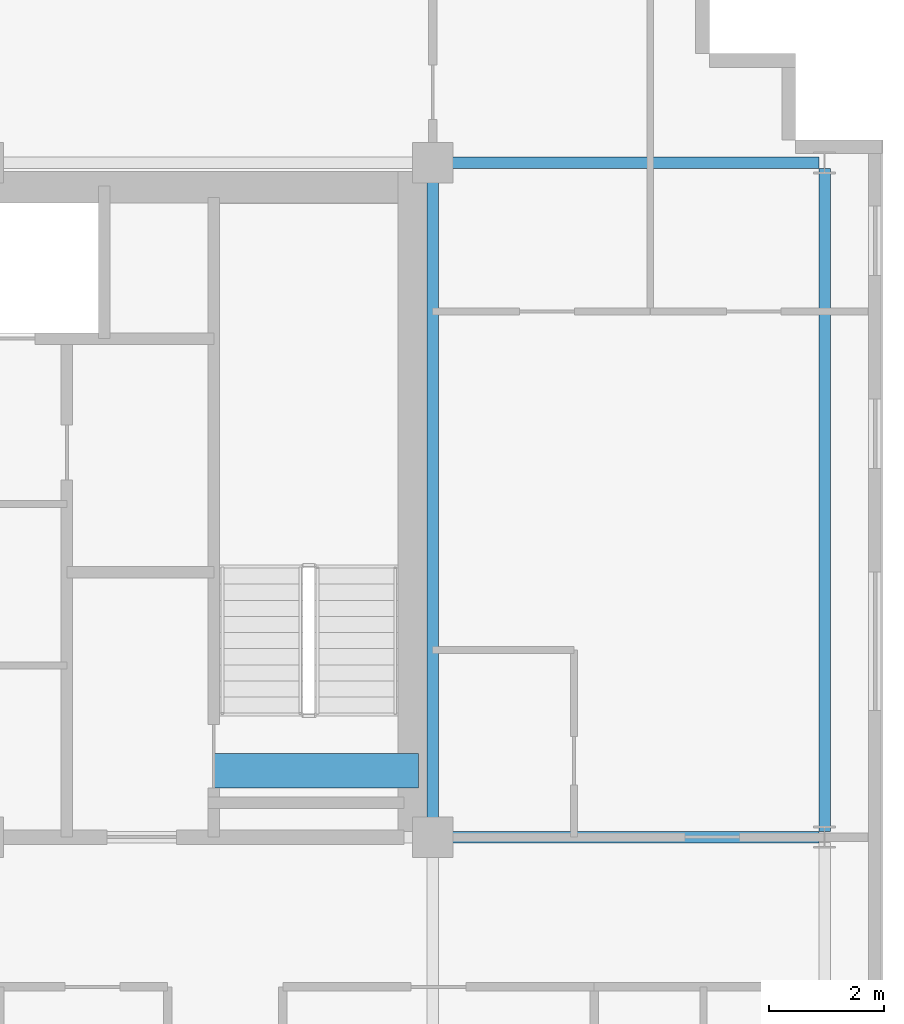
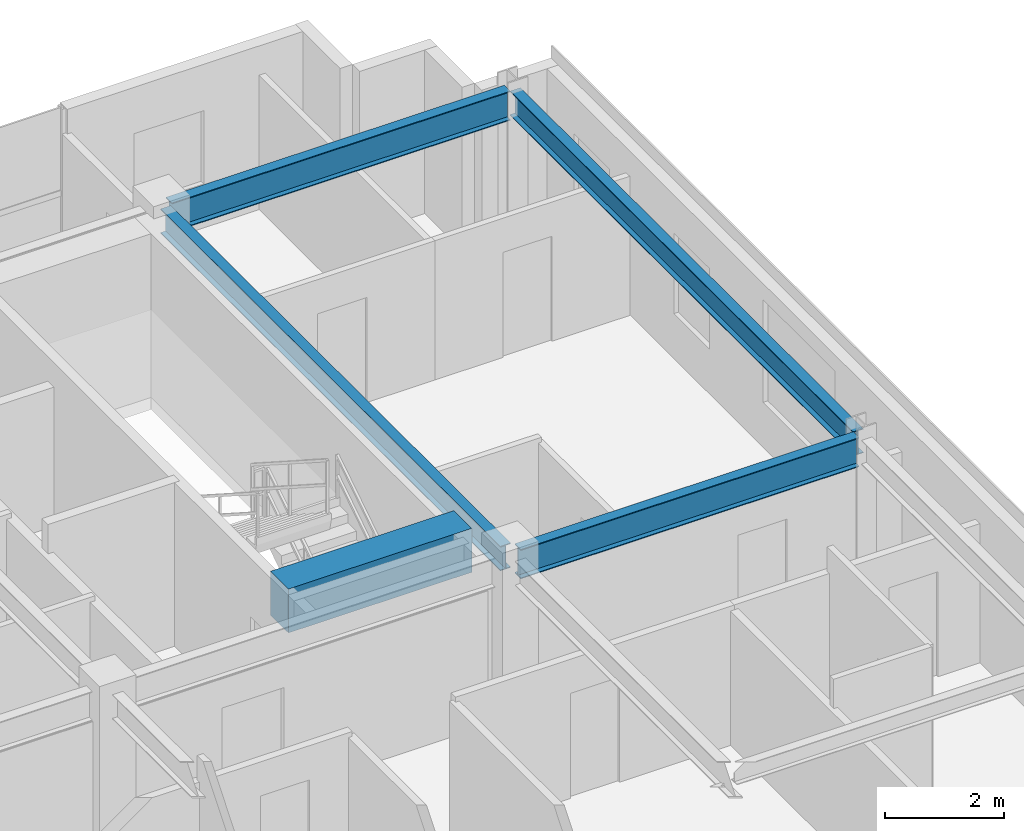
# One storey, part 11 of 21: 5 beams.
"""IFC4 building model written with IfcOpenShell, lengths in metres."""

from ifc_helpers import new_model, si_unit, direction, frame, origin, origin_2d, place, context, subcontext, project, spatial, rectangle, i_section, extrude, source, transform, mapped, material, material_profile, profile_set, type_object, element, save


model = new_model("IFC4")

# Units and contexts
model_context = context("Model", 3, precision=1e-05, world=origin(), true_north=direction((0.0, 1.0)))
body_context = subcontext(model_context, "Body", "Model", "MODEL_VIEW")
ifc_project = project(units=[si_unit("LENGTHUNIT", "METRE"), si_unit("AREAUNIT", "SQUARE_METRE"), si_unit("VOLUMEUNIT", "CUBIC_METRE"), si_unit("PLANEANGLEUNIT", "RADIAN"), si_unit("MASSUNIT", "GRAM", prefix="KILO")], contexts=[model_context])

# Site, building, storey
site_placement = place(None, origin())
site = spatial("IfcSite", under=ifc_project, at=site_placement, CompositionType="ELEMENT")
building_placement = place(site_placement, origin())
building = spatial("IfcBuilding", under=site, at=building_placement, Name="Trelvane Seafront Commons", CompositionType="ELEMENT")
storey_placement = place(building_placement, frame((0.0, 0.0, 157.300048828125)))
storey = spatial("IfcBuildingStorey", under=building, at=storey_placement, Name="L41", CompositionType="ELEMENT", Elevation=157.300048828125)

# Beams
ifc_material_1 = material(Name="Concrete C60/75", Category="concrete")
ifc_material_profile_1 = material_profile(ifc_material_1, rectangle(XDim=0.60009765625, YDim=0.89990234375, at=origin_2d()), Name="RC-600x900")
ifc_profile_set_1 = profile_set([ifc_material_profile_1], Name="Concrete C60/75")
beam_type_1 = type_object("IfcBeamType", Name="STR-LNT-RC600x900", PredefinedType="LINTEL", material=ifc_profile_set_1)
shared_shape_1 = source(origin(), body_context, "Body", "SweptSolid", [
    extrude(rectangle(XDim=0.60009765625, YDim=0.89990234375, at=origin_2d()), origin(), (0.0, 0.0, 1.0), 3.550048828125),
])
beam_1_placement = place(storey_placement, frame((55.0, 34.550048828125, 2.89990234375), z_axis=(1.0, 0.0, 0.0), x_axis=(0.0, 1.0, 0.0)))
element("IfcBeam", 1, at=beam_1_placement, inside=storey, type_object=beam_type_1, Name="L41 Core Coupling Lintel Beam CB-68", PredefinedType="LINTEL", context=body_context, shape_type="MappedRepresentation", body=[
    mapped(shared_shape_1, transform((0.0, 0.0, 0.0), x_axis=(1.0, 0.0, 0.0), y_axis=(0.0, 1.0, 0.0), z_axis=(0.0, 0.0, 1.0), scale=1.0)),
])
ifc_material_2 = material(Name="Steel SM355 (S355)", Category="steel")
ifc_material_profile_2 = material_profile(ifc_material_2, i_section(OverallWidth=0.199951171875, OverallDepth=0.5, WebThickness=0.010009765625, FlangeThickness=0.01611328125, at=origin_2d()), Name="H-500x200x10x16")
ifc_profile_set_2 = profile_set([ifc_material_profile_2], Name="Steel SM355 (S355)")
beam_type_2 = type_object("IfcBeamType", Name="STR-BM-H500", PredefinedType="BEAM", material=ifc_profile_set_2)
shared_shape_2 = source(origin(), body_context, "Body", "SweptSolid", [
    extrude(i_section(OverallWidth=0.199951171875, OverallDepth=0.5, WebThickness=0.010009765625, FlangeThickness=0.01611328125, at=origin_2d()), origin(), (0.0, 0.0, 1.0), 11.39990234375),
])
beam_2_placement = place(storey_placement, frame((58.800048828125, 33.550048828125, 3.099853515625), z_axis=(0.0, 1.0, 0.0), x_axis=(-1.0, 0.0, 0.0)))
element("IfcBeam", 2, at=beam_2_placement, inside=storey, type_object=beam_type_2, Name="L41 Primary Girder G-49", PredefinedType="BEAM", context=body_context, shape_type="MappedRepresentation", body=[
    mapped(shared_shape_2, transform((0.0, 0.0, 0.0), x_axis=(1.0, 0.0, 0.0), y_axis=(0.0, 1.0, 0.0), z_axis=(0.0, 0.0, 1.0), scale=1.0)),
])
ifc_material_profile_3 = material_profile(ifc_material_2, i_section(OverallWidth=0.199951171875, OverallDepth=0.60009765625, WebThickness=0.010986328125, FlangeThickness=0.01708984375, at=origin_2d()), Name="H-600x200x11x17")
ifc_profile_set_3 = profile_set([ifc_material_profile_3], Name="Steel SM355 (S355)")
beam_type_3 = type_object("IfcBeamType", Name="STR-SPD-H600", PredefinedType="SPANDREL", material=ifc_profile_set_3)
shared_shape_3 = source(origin(), body_context, "Body", "SweptSolid", [
    extrude(i_section(OverallWidth=0.199951171875, OverallDepth=0.60009765625, WebThickness=0.010986328125, FlangeThickness=0.01708984375, at=origin_2d()), origin(), (0.0, 0.0, 1.0), 6.554931640625),
])
for number, where, z_axis, x_axis, name in (
    (3, (58.949951171875, 33.39990234375, 3.050048828125), (1.0, 0.0, 0.0), (0.0, 1.0, 0.0), "L41 Primary Girder G-21"),
    (4, (58.949951171875, 45.10009765625, 3.050048828125), (1.0, 0.0, 0.0), (0.0, 1.0, 0.0), "L41 Primary Girder G-28"),
):
    element("IfcBeam", number, at=place(storey_placement, frame(where, z_axis=z_axis, x_axis=x_axis)), inside=storey, type_object=beam_type_3, Name=name, PredefinedType="SPANDREL", context=body_context, shape_type="MappedRepresentation", body=[
        mapped(shared_shape_3, transform((0.0, 0.0, 0.0), x_axis=(1.0, 0.0, 0.0), y_axis=(0.0, 1.0, 0.0), z_axis=(0.0, 0.0, 1.0), scale=1.0)),
    ])
shared_shape_4 = source(origin(), body_context, "Body", "SweptSolid", [
    extrude(i_section(OverallWidth=0.199951171875, OverallDepth=0.5, WebThickness=0.010009765625, FlangeThickness=0.01611328125, at=origin_2d()), origin(), (0.0, 0.0, 1.0), 11.509765625),
])
beam_3_placement = place(storey_placement, frame((65.60009765625, 33.4951171875, 3.099853515625), z_axis=(0.0, 1.0, 0.0), x_axis=(-1.0, 0.0, 0.0)))
element("IfcBeam", 5, at=beam_3_placement, inside=storey, type_object=beam_type_2, Name="L41 Primary Girder G-52", PredefinedType="BEAM", context=body_context, shape_type="MappedRepresentation", body=[
    mapped(shared_shape_4, transform((0.0, 0.0, 0.0), x_axis=(1.0, 0.0, 0.0), y_axis=(0.0, 1.0, 0.0), z_axis=(0.0, 0.0, 1.0), scale=1.0)),
])

save(model, "model.ifc")
